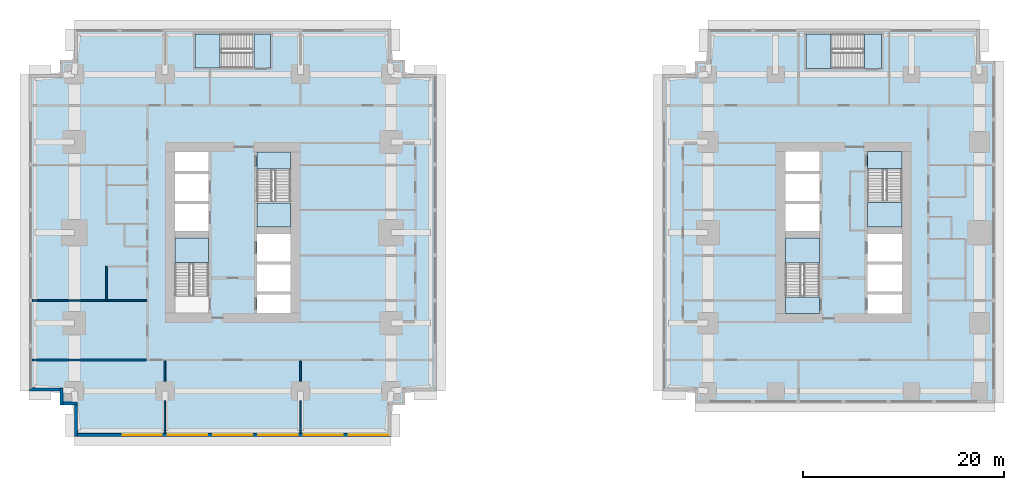
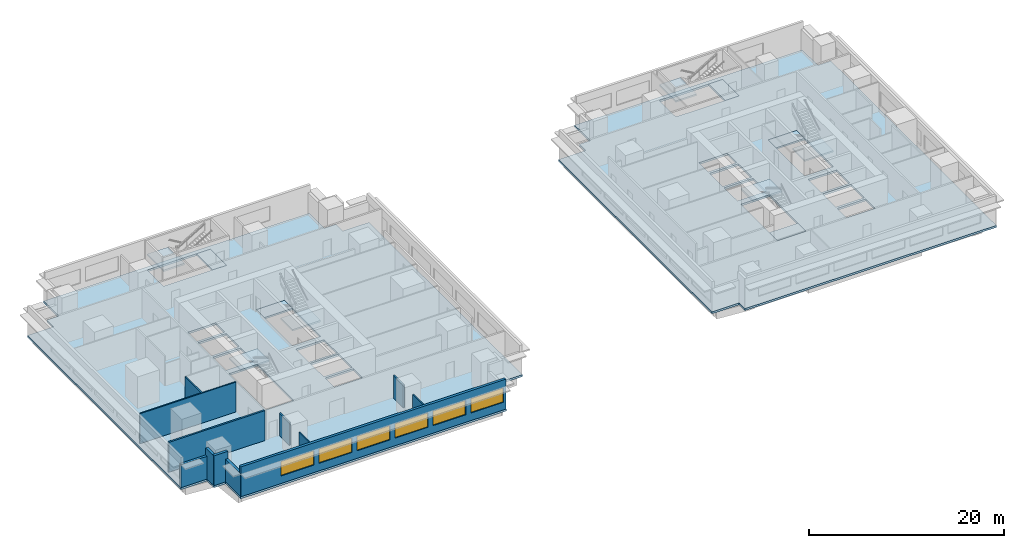
# One storey, part 2 of 11: 13 slabs, 12 walls, 6 windows, 6 openings, 6 elements without a shape of their own.
"""IFC4 building model written with IfcOpenShell, lengths in metres."""

import ifcopenshell
import ifcopenshell.guid

model = None  # the IFC model being written
_history = None  # IfcOwnerHistory: only IFC2X3 demands one
_inside = {}  # id of a spatial element -> (the spatial element, [elements in it])
_under = {}  # id of a project, library or spatial element -> (it, [spatial elements below it])
_declared = {}  # id of a project -> (the project, [libraries it declares])
_typed = {}  # id of a type object -> (the type object, [elements of that type])
_made_of = {}  # id of a material, layer set ... -> (it, [elements and type objects made of it])


def new_model(schema):
    """Start an empty IFC model of exactly this schema.

    Asked for "IFC4X3", IfcOpenShell would pick the latest addendum, in which some entities
    have other attributes; the version numbers below select the first issue.
    IFC2X3 requires an IfcOwnerHistory on every rooted entity: one is made here for all.
    """
    global model, _history
    if schema == "IFC4X3":
        model = ifcopenshell.file(schema_version=(4, 3, 0, 0))
    else:
        model = ifcopenshell.file(schema=schema)
    _inside.clear()
    _under.clear()
    _declared.clear()
    _typed.clear()
    _made_of.clear()
    _history = None
    if model.schema == "IFC2X3":
        org = make("IfcOrganization", Name="unknown")
        user = make(
            "IfcPersonAndOrganization",
            ThePerson=make("IfcPerson", FamilyName="unknown"),
            TheOrganization=org,
        )
        app = make(
            "IfcApplication",
            ApplicationDeveloper=org,
            Version="unknown",
            ApplicationFullName="unknown",
            ApplicationIdentifier="unknown",
        )
        _history = make(
            "IfcOwnerHistory",
            OwningUser=user,
            OwningApplication=app,
            ChangeAction="ADDED",
            CreationDate=0,
        )
    return model


def make(cls, **values):
    """One entity of the class cls with the attributes given. An attribute that is None is left unset."""
    return model.create_entity(
        cls, **{name: value for name, value in values.items() if value is not None}
    )


def rooted(cls, **values):
    """An entity with a GlobalId (a new one), such as an element, a storey or a relation."""
    return make(cls, GlobalId=ifcopenshell.guid.new(), OwnerHistory=_history, **values)


def si_unit(unit_type, name, prefix=None):
    """IfcSIUnit, for example si_unit("LENGTHUNIT", "METRE", prefix="MILLI")."""
    return make("IfcSIUnit", UnitType=unit_type, Prefix=prefix, Name=name)


def assignment(units):
    """IfcUnitAssignment: the units of a project."""
    return None if units is None else make("IfcUnitAssignment", Units=units)


def point(xyz):
    """IfcCartesianPoint."""
    return None if xyz is None else make("IfcCartesianPoint", Coordinates=xyz)


def direction(xyz):
    """IfcDirection."""
    return None if xyz is None else make("IfcDirection", DirectionRatios=xyz)


def frame(location, z_axis=None, x_axis=None):
    """IfcAxis2Placement3D, a coordinate frame: its origin and axes. An axis left out is left unset."""
    return make(
        "IfcAxis2Placement3D",
        Location=point(location),
        Axis=direction(z_axis),
        RefDirection=direction(x_axis),
    )


def frame_2d(location, x_axis=None):
    """IfcAxis2Placement2D, a coordinate frame in the plane: its origin and x axis."""
    return make(
        "IfcAxis2Placement2D", Location=point(location), RefDirection=direction(x_axis)
    )


def origin():
    """The frame at (0, 0, 0) with its axes left unset."""
    return frame((0.0, 0.0, 0.0))


def place(relative_to, where):
    """IfcLocalPlacement: puts the frame where relative to a parent placement (None: the world)."""
    return make(
        "IfcLocalPlacement", PlacementRelTo=relative_to, RelativePlacement=where
    )


def context(
    kind, dimensions, precision=None, world=None, true_north=None, identifier=None
):
    """IfcGeometricRepresentationContext, for example the 3D "Model" context."""
    return make(
        "IfcGeometricRepresentationContext",
        ContextIdentifier=identifier,
        ContextType=kind,
        CoordinateSpaceDimension=dimensions,
        Precision=precision,
        WorldCoordinateSystem=world,
        TrueNorth=true_north,
    )


def subcontext(parent, identifier, kind, view, scale=None):
    """IfcGeometricRepresentationSubContext, for example "Body" below "Model"."""
    return make(
        "IfcGeometricRepresentationSubContext",
        ContextIdentifier=identifier,
        ContextType=kind,
        ParentContext=parent,
        TargetScale=scale,
        TargetView=view,
    )


def project(units=None, contexts=None):
    """IfcProject with its units and contexts."""
    return rooted(
        "IfcProject",
        Name="project",
        RepresentationContexts=contexts,
        UnitsInContext=assignment(units),
    )


def spatial(cls, under=None, at=None, **own):
    """A site, building, storey or space (cls), placed at a placement, below another one or the project."""
    s = rooted(cls, ObjectPlacement=at, **own)
    if under is not None:
        _under.setdefault(under.id(), (under, []))[1].append(s)
    return s


def polyline(points):
    """IfcPolyline through the points."""
    return make("IfcPolyline", Points=[point(p) for p in points])


def profile(cls, at=None, kind="AREA", **sizes):
    """A parametric profile (cls). Its sizes go by their IFC names, for example OverallWidth=200.0."""
    return make(cls, ProfileType=kind, Position=at, **sizes)


def rectangle(**sizes):
    """IfcRectangleProfileDef."""
    return profile("IfcRectangleProfileDef", **sizes)


def outline(outer, holes=None, kind="AREA"):
    """IfcArbitraryClosedProfileDef: a profile drawn as a closed curve; with holes, ...WithVoids."""
    if holes is None:
        return make("IfcArbitraryClosedProfileDef", ProfileType=kind, OuterCurve=outer)
    return make(
        "IfcArbitraryProfileDefWithVoids",
        ProfileType=kind,
        OuterCurve=outer,
        InnerCurves=holes,
    )


def extrude(swept, where, along, depth):
    """IfcExtrudedAreaSolid: the profile swept, set in the frame where, extruded along a direction by depth."""
    return make(
        "IfcExtrudedAreaSolid",
        SweptArea=swept,
        Position=where,
        ExtrudedDirection=direction(along),
        Depth=depth,
    )


def shape(context_of_items, identifier, shape_type, items):
    """IfcShapeRepresentation: the items that make up one representation, for example the "Body"."""
    return make(
        "IfcShapeRepresentation",
        ContextOfItems=context_of_items,
        RepresentationIdentifier=identifier,
        RepresentationType=shape_type,
        Items=items,
    )


def material(Name=None, Category=None):
    """IfcMaterial."""
    return make("IfcMaterial", Name=Name, Category=Category)


def layer(
    of_material, thickness, ventilated=None, Name=None, Category=None, Priority=None
):
    """IfcMaterialLayer: one layer of a wall or slab, of a material (None: an air gap)."""
    return make(
        "IfcMaterialLayer",
        Material=of_material,
        LayerThickness=thickness,
        IsVentilated=ventilated,
        Name=Name,
        Category=Category,
        Priority=Priority,
    )


def layer_set(layers, Name=None):
    """IfcMaterialLayerSet."""
    return make("IfcMaterialLayerSet", MaterialLayers=layers, LayerSetName=Name)


def made_of(thing, what):
    """Note that an element or type object is made of a material, layer set ...; save() writes the relation."""
    if what is not None:
        _made_of.setdefault(what.id(), (what, []))[1].append(thing)
    return thing


def type_object(cls, material=None, **own):
    """A type object (cls), such as IfcWallType, which elements share."""
    return made_of(rooted(cls, **own), material)


def element(
    cls,
    number,
    at=None,
    inside=None,
    cuts=None,
    type_object=None,
    material=None,
    context=None,
    identifier="Body",
    shape_type=None,
    held_by="IfcProductDefinitionShape",
    body=None,
    shapes=None,
    **own,
):
    """One element of the class cls, such as IfcWall. Its Tag is "e" and its number.

    at: its placement. inside: the storey or other place that contains it. cuts: it is an
    opening in that element (IfcRelVoidsElement). A single representation is given by context,
    identifier, shape_type and body (its items); several are given by shapes. held_by: the class
    of the entity that holds the representations. save() writes the other relations.
    """
    e = rooted(cls, Tag="e%d" % number, ObjectPlacement=at, **own)
    if body is not None:
        shapes = [shape(context, identifier, shape_type, body)]
    if shapes is not None:
        e.Representation = make(held_by, Representations=shapes)
    if inside is not None:
        _inside.setdefault(inside.id(), (inside, []))[1].append(e)
    if cuts is not None:
        rooted(
            "IfcRelVoidsElement", RelatingBuildingElement=cuts, RelatedOpeningElement=e
        )
    if type_object is not None:
        _typed.setdefault(type_object.id(), (type_object, []))[1].append(e)
    return made_of(e, material)


def fill(opening, filler):
    """IfcRelFillsElement: the door or window that sits in an opening."""
    return rooted(
        "IfcRelFillsElement",
        RelatingOpeningElement=opening,
        RelatedBuildingElement=filler,
    )


def aggregate(whole, parts):
    """IfcRelAggregates: a whole, such as a stair, and the parts it consists of."""
    return rooted("IfcRelAggregates", RelatingObject=whole, RelatedObjects=parts)


def save(model, path):
    """Write the relations noted so far, then the file.

    IfcRelAggregates (storeys below a building ...), IfcRelContainedInSpatialStructure (elements
    in a storey), IfcRelDefinesByType, IfcRelAssociatesMaterial and IfcRelDeclares: one each for
    every whole, place, type object, material and project.
    """
    for whole, parts in _under.values():
        aggregate(whole, parts)
    for where, things in _inside.values():
        rooted(
            "IfcRelContainedInSpatialStructure",
            RelatedElements=things,
            RelatingStructure=where,
        )
    for kind, things in _typed.values():
        rooted("IfcRelDefinesByType", RelatedObjects=things, RelatingType=kind)
    for what, things in _made_of.values():
        rooted("IfcRelAssociatesMaterial", RelatedObjects=things, RelatingMaterial=what)
    for by, libraries in _declared.values():
        rooted("IfcRelDeclares", RelatingContext=by, RelatedDefinitions=libraries)
    model.write(path)


model = new_model("IFC4")

# Units and contexts
model_context = context("Model", 3, precision=1e-05, world=origin(), true_north=direction((0.0, 1.0)))
body_context = subcontext(model_context, "Body", "Model", "MODEL_VIEW")
ifc_project = project(units=[si_unit("LENGTHUNIT", "METRE"), si_unit("AREAUNIT", "SQUARE_METRE"), si_unit("VOLUMEUNIT", "CUBIC_METRE"), si_unit("PLANEANGLEUNIT", "RADIAN"), si_unit("MASSUNIT", "GRAM", prefix="KILO")], contexts=[model_context])

# Site, building, storey
site_placement = place(None, origin())
site = spatial("IfcSite", under=ifc_project, at=site_placement, CompositionType="ELEMENT")
building_placement = place(site_placement, origin())
building = spatial("IfcBuilding", under=site, at=building_placement, Name="Namib Vertical Campus", CompositionType="ELEMENT")
storey_placement = place(building_placement, frame((0.0, 0.0, 85.0)))
storey = spatial("IfcBuildingStorey", under=building, at=storey_placement, Name="L19", CompositionType="ELEMENT", Elevation=85.0)

# Slabs
ifc_material_1 = material(Name="Concrete C40/50", Category="concrete")
ifc_layer_1 = layer(ifc_material_1, 0.25)
ifc_layer_set_1 = layer_set([ifc_layer_1], Name="Concrete C40/50")
slab_type_1 = type_object("IfcSlabType", Name="Floor slab 250", PredefinedType="FLOOR", material=ifc_layer_set_1)
slab_1_placement = place(storey_placement, frame((0.0, 0.0, -0.25)))
element("IfcSlab", 1, at=slab_1_placement, inside=storey, type_object=slab_type_1, Name="Floor slab A L19", PredefinedType="FLOOR", context=body_context, shape_type="SweptSolid", body=[
    extrude(outline(polyline([(4.5, 0.0), (36.0, 0.0), (36.0, 3.10009765625), (37.39990234375, 3.10009765625), (37.39990234375, 4.5), (40.5, 4.5), (40.5, 36.0), (37.39990234375, 36.0), (37.39990234375, 37.39990234375), (36.0, 37.39990234375), (36.0, 40.5), (4.5, 40.5), (4.5, 37.39990234375), (3.10009765625, 37.39990234375), (3.10009765625, 36.0), (0.0, 36.0), (0.0, 4.5), (3.10009765625, 4.5), (3.10009765625, 3.10009765625), (4.5, 3.10009765625), (4.5, 0.0)]), holes=[polyline([(14.5, 12.25), (17.85009765625, 12.25), (17.85009765625, 19.699951171875), (14.5, 19.699951171875), (14.5, 12.25)]), polyline([(22.64990234375, 20.800048828125), (26.0, 20.800048828125), (26.0, 28.25), (22.64990234375, 28.25), (22.64990234375, 20.800048828125)]), polyline([(22.64990234375, 12.25), (26.0, 12.25), (26.0, 14.10009765625), (22.64990234375, 14.10009765625), (22.64990234375, 12.25)]), polyline([(14.5, 20.39990234375), (17.85009765625, 20.39990234375), (17.85009765625, 23.10009765625), (14.5, 23.10009765625), (14.5, 20.39990234375)]), polyline([(14.5, 23.39990234375), (17.85009765625, 23.39990234375), (17.85009765625, 26.10009765625), (14.5, 26.10009765625), (14.5, 23.39990234375)]), polyline([(14.5, 26.39990234375), (17.85009765625, 26.39990234375), (17.85009765625, 28.25), (14.5, 28.25), (14.5, 26.39990234375)]), polyline([(22.64990234375, 14.39990234375), (26.0, 14.39990234375), (26.0, 17.10009765625), (22.64990234375, 17.10009765625), (22.64990234375, 14.39990234375)]), polyline([(22.64990234375, 17.39990234375), (26.0, 17.39990234375), (26.0, 20.10009765625), (22.64990234375, 20.10009765625), (22.64990234375, 17.39990234375)]), polyline([(16.5, 36.64990234375), (24.0, 36.64990234375), (24.0, 40.0), (16.5, 40.0), (16.5, 36.64990234375)])]), origin(), (0.0, 0.0, 1.0), 0.25),
])
slab_2_placement = place(storey_placement, frame((0.0, 0.0, -0.25)))
element("IfcSlab", 2, at=slab_2_placement, inside=storey, type_object=slab_type_1, Name="Floor slab B L19", PredefinedType="FLOOR", context=body_context, shape_type="SweptSolid", body=[
    extrude(outline(polyline([(63.0, 4.5), (66.199951171875, 4.5), (66.199951171875, 3.300048828125), (96.050048828125, 3.300048828125), (96.050048828125, 37.300048828125), (94.5, 37.300048828125), (94.5, 40.5), (67.5, 40.5), (67.5, 37.300048828125), (66.199951171875, 37.300048828125), (66.199951171875, 36.0), (63.0, 36.0), (63.0, 4.5)]), holes=[polyline([(75.199951171875, 12.199951171875), (78.60009765625, 12.199951171875), (78.60009765625, 19.699951171875), (75.199951171875, 19.699951171875), (75.199951171875, 12.199951171875)]), polyline([(83.39990234375, 20.800048828125), (86.800048828125, 20.800048828125), (86.800048828125, 28.300048828125), (83.39990234375, 28.300048828125), (83.39990234375, 20.800048828125)]), polyline([(83.39990234375, 12.199951171875), (86.800048828125, 12.199951171875), (86.800048828125, 14.10009765625), (83.39990234375, 14.10009765625), (83.39990234375, 12.199951171875)]), polyline([(75.199951171875, 20.39990234375), (78.60009765625, 20.39990234375), (78.60009765625, 23.10009765625), (75.199951171875, 23.10009765625), (75.199951171875, 20.39990234375)]), polyline([(75.199951171875, 23.39990234375), (78.60009765625, 23.39990234375), (78.60009765625, 26.10009765625), (75.199951171875, 26.10009765625), (75.199951171875, 23.39990234375)]), polyline([(75.199951171875, 26.39990234375), (78.60009765625, 26.39990234375), (78.60009765625, 28.300048828125), (75.199951171875, 28.300048828125), (75.199951171875, 26.39990234375)]), polyline([(83.39990234375, 14.39990234375), (86.800048828125, 14.39990234375), (86.800048828125, 17.10009765625), (83.39990234375, 17.10009765625), (83.39990234375, 14.39990234375)]), polyline([(83.39990234375, 17.39990234375), (86.800048828125, 17.39990234375), (86.800048828125, 20.10009765625), (83.39990234375, 20.10009765625), (83.39990234375, 17.39990234375)]), polyline([(77.25, 36.60009765625), (84.75, 36.60009765625), (84.75, 40.0), (77.25, 40.0), (77.25, 36.60009765625)])]), origin(), (0.0, 0.0, 1.0), 0.25),
])

# Stair, slab
ifc_material_2 = material(Name="Concrete C40/50 precast", Category="concrete")
stair_type_1 = type_object("IfcStairType", Name="Exit stair 4000 rise 24 risers 3350 wide", PredefinedType="HALF_TURN_STAIR", material=ifc_material_2)
stair_1_placement = place(storey_placement, origin())
stair_1 = element("IfcStair", 3, at=stair_1_placement, inside=storey, type_object=stair_type_1, Name="Exit stair A-S1 L19", PredefinedType="HALF_TURN_STAIR")
ifc_material_3 = material(Name="Concrete C40/50", Category="concrete")
ifc_layer_2 = layer(ifc_material_3, 0.199951171875)
ifc_layer_set_2 = layer_set([ifc_layer_2], Name="Concrete C40/50")
slab_type_2 = type_object("IfcSlabType", Name="Stair landing 200", PredefinedType="LANDING", material=ifc_layer_set_2)
slab_3_placement = place(storey_placement, frame((0.0, 0.0, 1.800048828125)))
slab_3 = element("IfcSlab", 4, at=slab_3_placement, type_object=slab_type_2, Name="A-S1 landing 2", PredefinedType="LANDING", context=body_context, shape_type="SweptSolid", body=[
    extrude(outline(polyline([(14.5, 17.276123046875), (17.85009765625, 17.276123046875), (17.85009765625, 19.699951171875), (14.5, 19.699951171875), (14.5, 17.276123046875)])), origin(), (0.0, 0.0, 1.0), 0.199951171875),
])
aggregate(stair_1, [slab_3])

# Stair, slabs
stair_2_placement = place(storey_placement, origin())
stair_2 = element("IfcStair", 5, at=stair_2_placement, inside=storey, type_object=stair_type_1, Name="Exit stair A-S2 L19", PredefinedType="HALF_TURN_STAIR")
slab_4_placement = place(storey_placement, frame((0.0, 0.0, -0.199951171875)))
slab_4 = element("IfcSlab", 6, at=slab_4_placement, type_object=slab_type_2, Name="A-S2 landing 1", PredefinedType="LANDING", context=body_context, shape_type="SweptSolid", body=[
    extrude(outline(polyline([(22.64990234375, 26.59619140625), (26.0, 26.59619140625), (26.0, 28.25), (22.64990234375, 28.25), (22.64990234375, 26.59619140625)])), origin(), (0.0, 0.0, 1.0), 0.199951171875),
])
slab_5_placement = place(storey_placement, frame((0.0, 0.0, 1.800048828125)))
slab_5 = element("IfcSlab", 7, at=slab_5_placement, type_object=slab_type_2, Name="A-S2 landing 2", PredefinedType="LANDING", context=body_context, shape_type="SweptSolid", body=[
    extrude(outline(polyline([(22.64990234375, 20.800048828125), (26.0, 20.800048828125), (26.0, 23.223876953125), (22.64990234375, 23.223876953125), (22.64990234375, 20.800048828125)])), origin(), (0.0, 0.0, 1.0), 0.199951171875),
])
aggregate(stair_2, [slab_4, slab_5])

ifc_material_4 = material(Name="Concrete C40/50 precast", Category="concrete")
stair_type_2 = type_object("IfcStairType", Name="Exit stair 4000 rise 24 risers 3400 wide", PredefinedType="HALF_TURN_STAIR", material=ifc_material_4)
stair_3_placement = place(storey_placement, origin())
stair_3 = element("IfcStair", 8, at=stair_3_placement, inside=storey, type_object=stair_type_2, Name="Exit stair B-S1 L19", PredefinedType="HALF_TURN_STAIR")
slab_6_placement = place(storey_placement, frame((0.0, 0.0, -0.199951171875)))
slab_6 = element("IfcSlab", 9, at=slab_6_placement, type_object=slab_type_2, Name="B-S1 landing 1", PredefinedType="LANDING", context=body_context, shape_type="SweptSolid", body=[
    extrude(outline(polyline([(75.199951171875, 12.199951171875), (78.60009765625, 12.199951171875), (78.60009765625, 13.85400390625), (75.199951171875, 13.85400390625), (75.199951171875, 12.199951171875)])), origin(), (0.0, 0.0, 1.0), 0.199951171875),
])
slab_7_placement = place(storey_placement, frame((0.0, 0.0, 1.800048828125)))
slab_7 = element("IfcSlab", 10, at=slab_7_placement, type_object=slab_type_2, Name="B-S1 landing 2", PredefinedType="LANDING", context=body_context, shape_type="SweptSolid", body=[
    extrude(outline(polyline([(75.199951171875, 17.22607421875), (78.60009765625, 17.22607421875), (78.60009765625, 19.699951171875), (75.199951171875, 19.699951171875), (75.199951171875, 17.22607421875)])), origin(), (0.0, 0.0, 1.0), 0.199951171875),
])
aggregate(stair_3, [slab_6, slab_7])

stair_4_placement = place(storey_placement, origin())
stair_4 = element("IfcStair", 11, at=stair_4_placement, inside=storey, type_object=stair_type_2, Name="Exit stair B-S2 L19", PredefinedType="HALF_TURN_STAIR")
slab_8_placement = place(storey_placement, frame((0.0, 0.0, -0.199951171875)))
slab_8 = element("IfcSlab", 12, at=slab_8_placement, type_object=slab_type_2, Name="B-S2 landing 1", PredefinedType="LANDING", context=body_context, shape_type="SweptSolid", body=[
    extrude(outline(polyline([(83.39990234375, 26.64599609375), (86.800048828125, 26.64599609375), (86.800048828125, 28.300048828125), (83.39990234375, 28.300048828125), (83.39990234375, 26.64599609375)])), origin(), (0.0, 0.0, 1.0), 0.199951171875),
])
slab_9_placement = place(storey_placement, frame((0.0, 0.0, 1.800048828125)))
slab_9 = element("IfcSlab", 13, at=slab_9_placement, type_object=slab_type_2, Name="B-S2 landing 2", PredefinedType="LANDING", context=body_context, shape_type="SweptSolid", body=[
    extrude(outline(polyline([(83.39990234375, 20.800048828125), (86.800048828125, 20.800048828125), (86.800048828125, 23.27392578125), (83.39990234375, 23.27392578125), (83.39990234375, 20.800048828125)])), origin(), (0.0, 0.0, 1.0), 0.199951171875),
])
aggregate(stair_4, [slab_8, slab_9])

stair_5_placement = place(storey_placement, origin())
stair_5 = element("IfcStair", 14, at=stair_5_placement, inside=storey, type_object=stair_type_1, Name="Exit stair A-S3 L19", PredefinedType="HALF_TURN_STAIR")
slab_10_placement = place(storey_placement, frame((0.0, 0.0, -0.199951171875)))
slab_10 = element("IfcSlab", 15, at=slab_10_placement, type_object=slab_type_2, Name="A-S3 landing 1", PredefinedType="LANDING", context=body_context, shape_type="SweptSolid", body=[
    extrude(outline(polyline([(22.34619140625, 36.64990234375), (22.34619140625, 40.0), (24.0, 40.0), (24.0, 36.64990234375), (22.34619140625, 36.64990234375)])), origin(), (0.0, 0.0, 1.0), 0.199951171875),
])
slab_11_placement = place(storey_placement, frame((0.0, 0.0, 1.800048828125)))
slab_11 = element("IfcSlab", 16, at=slab_11_placement, type_object=slab_type_2, Name="A-S3 landing 2", PredefinedType="LANDING", context=body_context, shape_type="SweptSolid", body=[
    extrude(outline(polyline([(16.5, 36.64990234375), (16.5, 40.0), (18.973876953125, 40.0), (18.973876953125, 36.64990234375), (16.5, 36.64990234375)])), origin(), (0.0, 0.0, 1.0), 0.199951171875),
])
aggregate(stair_5, [slab_10, slab_11])

stair_6_placement = place(storey_placement, origin())
stair_6 = element("IfcStair", 17, at=stair_6_placement, inside=storey, type_object=stair_type_2, Name="Exit stair B-S3 L19", PredefinedType="HALF_TURN_STAIR")
slab_12_placement = place(storey_placement, frame((0.0, 0.0, -0.199951171875)))
slab_12 = element("IfcSlab", 18, at=slab_12_placement, type_object=slab_type_2, Name="B-S3 landing 1", PredefinedType="LANDING", context=body_context, shape_type="SweptSolid", body=[
    extrude(outline(polyline([(83.09619140625, 36.60009765625), (83.09619140625, 40.0), (84.75, 40.0), (84.75, 36.60009765625), (83.09619140625, 36.60009765625)])), origin(), (0.0, 0.0, 1.0), 0.199951171875),
])
slab_13_placement = place(storey_placement, frame((0.0, 0.0, 1.800048828125)))
slab_13 = element("IfcSlab", 19, at=slab_13_placement, type_object=slab_type_2, Name="B-S3 landing 2", PredefinedType="LANDING", context=body_context, shape_type="SweptSolid", body=[
    extrude(outline(polyline([(77.25, 36.60009765625), (77.25, 40.0), (79.723876953125, 40.0), (79.723876953125, 36.60009765625), (77.25, 36.60009765625)])), origin(), (0.0, 0.0, 1.0), 0.199951171875),
])
aggregate(stair_6, [slab_12, slab_13])

# Wall
ifc_material_5 = material(Name="Concrete masonry", Category="masonry")
ifc_layer_3 = layer(ifc_material_5, 0.199951171875)
ifc_layer_set_3 = layer_set([ifc_layer_3], Name="Corridor wall 200")
wall_type_1 = type_object("IfcWallType", Name="Corridor wall 200", PredefinedType="SOLIDWALL", material=ifc_layer_set_3)
wall_1_placement = place(storey_placement, frame((0.300048828125, 7.60009765625, 0.0), z_axis=(0.0, 0.0, 1.0), x_axis=(1.0, 0.0, 0.0)))
element("IfcWall", 20, at=wall_1_placement, inside=storey, type_object=wall_type_1, Name="Partition A L19 BSW", PredefinedType="SOLIDWALL", context=body_context, shape_type="SweptSolid", body=[
    extrude(rectangle(XDim=11.39990234375, YDim=0.199951171875, at=frame_2d((5.699951171875, 0.0))), origin(), (0.0, 0.0, 1.0), 3.75),
])

# Wall, openings, windows
ifc_material_6 = material(Name="Concrete C40/50", Category="concrete")
ifc_layer_4 = layer(ifc_material_6, 0.300048828125)
ifc_layer_set_4 = layer_set([ifc_layer_4], Name="Concrete C40/50")
wall_type_2 = type_object("IfcWallType", Name="External wall 300 board-marked concrete", PredefinedType="STANDARD", material=ifc_layer_set_4)
wall_2_placement = place(storey_placement, frame((4.52001953125, 0.14990234375, 0.0), z_axis=(0.0, 0.0, 1.0), x_axis=(1.0, 0.0, 0.0)))
wall_2 = element("IfcWall", 21, at=wall_2_placement, inside=storey, type_object=wall_type_2, Name="External wall L19 F01", PredefinedType="STANDARD", context=body_context, shape_type="SweptSolid", body=[
    extrude(rectangle(XDim=31.4599609375, YDim=0.300048828125, at=frame_2d((15.72998046875, 0.0))), origin(), (0.0, 0.0, 1.0), 3.75),
])
opening_1_placement = place(wall_2_placement, frame((4.780029296875, 0.0, 0.949951171875)))
opening_1 = element("IfcOpeningElement", 22, at=opening_1_placement, cuts=wall_2, Name="Opening W3", PredefinedType="OPENING", context=body_context, shape_type="SweptSolid", body=[
    extrude(rectangle(XDim=3.89990234375, YDim=1.800048828125, at=frame_2d((1.949951171875, 0.89990234375))), frame((0.0, 0.159912109375, 0.0), z_axis=(0.0, -1.0, 0.0), x_axis=(1.0, 0.0, 0.0)), (0.0, 0.0, 1.0), 0.320068359375),
])
opening_2_placement = place(wall_2_placement, frame((9.280029296875, 0.0, 0.949951171875)))
opening_2 = element("IfcOpeningElement", 23, at=opening_2_placement, cuts=wall_2, Name="Opening W3", PredefinedType="OPENING", context=body_context, shape_type="SweptSolid", body=[
    extrude(rectangle(XDim=3.89990234375, YDim=1.800048828125, at=frame_2d((1.949951171875, 0.89990234375))), frame((0.0, 0.159912109375, 0.0), z_axis=(0.0, -1.0, 0.0), x_axis=(1.0, 0.0, 0.0)), (0.0, 0.0, 1.0), 0.320068359375),
])
opening_3_placement = place(wall_2_placement, frame((13.780029296875, 0.0, 0.949951171875)))
opening_3 = element("IfcOpeningElement", 24, at=opening_3_placement, cuts=wall_2, Name="Opening W3", PredefinedType="OPENING", context=body_context, shape_type="SweptSolid", body=[
    extrude(rectangle(XDim=3.89990234375, YDim=1.800048828125, at=frame_2d((1.949951171875, 0.89990234375))), frame((0.0, 0.159912109375, 0.0), z_axis=(0.0, -1.0, 0.0), x_axis=(1.0, 0.0, 0.0)), (0.0, 0.0, 1.0), 0.320068359375),
])
opening_4_placement = place(wall_2_placement, frame((18.280029296875, 0.0, 0.949951171875)))
opening_4 = element("IfcOpeningElement", 25, at=opening_4_placement, cuts=wall_2, Name="Opening W3", PredefinedType="OPENING", context=body_context, shape_type="SweptSolid", body=[
    extrude(rectangle(XDim=3.89990234375, YDim=1.800048828125, at=frame_2d((1.949951171875, 0.89990234375))), frame((0.0, 0.159912109375, 0.0), z_axis=(0.0, -1.0, 0.0), x_axis=(1.0, 0.0, 0.0)), (0.0, 0.0, 1.0), 0.320068359375),
])
opening_5_placement = place(wall_2_placement, frame((22.780029296875, 0.0, 0.949951171875)))
opening_5 = element("IfcOpeningElement", 26, at=opening_5_placement, cuts=wall_2, Name="Opening W3", PredefinedType="OPENING", context=body_context, shape_type="SweptSolid", body=[
    extrude(rectangle(XDim=3.89990234375, YDim=1.800048828125, at=frame_2d((1.949951171875, 0.89990234375))), frame((0.0, 0.159912109375, 0.0), z_axis=(0.0, -1.0, 0.0), x_axis=(1.0, 0.0, 0.0)), (0.0, 0.0, 1.0), 0.320068359375),
])
opening_6_placement = place(wall_2_placement, frame((27.280029296875, 0.0, 0.949951171875)))
opening_6 = element("IfcOpeningElement", 27, at=opening_6_placement, cuts=wall_2, Name="Opening W3", PredefinedType="OPENING", context=body_context, shape_type="SweptSolid", body=[
    extrude(rectangle(XDim=3.89990234375, YDim=1.800048828125, at=frame_2d((1.949951171875, 0.89990234375))), frame((0.0, 0.159912109375, 0.0), z_axis=(0.0, -1.0, 0.0), x_axis=(1.0, 0.0, 0.0)), (0.0, 0.0, 1.0), 0.320068359375),
])
ifc_material_7 = material(Name="Dark tinted glass in black aluminium frame", Category="aluminium")
window_type = type_object("IfcWindowType", Name="Ribbon window 3900x1800", PartitioningType="SINGLE_PANEL", PredefinedType="WINDOW", material=ifc_material_7)
window_1_placement = place(opening_1_placement, origin())
window_1 = element("IfcWindow", 28, at=window_1_placement, inside=storey, type_object=window_type, Name="Window W3 L19 F01-2", OverallHeight=1.800048828125, OverallWidth=3.89990234375, PartitioningType="SINGLE_PANEL", PredefinedType="WINDOW", context=body_context, shape_type="SweptSolid", body=[
    extrude(rectangle(XDim=3.89990234375, YDim=1.800048828125, at=frame_2d((1.949951171875, 0.89990234375))), frame((0.0, 0.030029296875, 0.0), z_axis=(0.0, -1.0, 0.0), x_axis=(1.0, 0.0, 0.0)), (0.0, 0.0, 1.0), 0.06005859375),
])
fill(opening_1, window_1)
window_2_placement = place(opening_2_placement, origin())
window_2 = element("IfcWindow", 29, at=window_2_placement, inside=storey, type_object=window_type, Name="Window W3 L19 F01-3", OverallHeight=1.800048828125, OverallWidth=3.89990234375, PartitioningType="SINGLE_PANEL", PredefinedType="WINDOW", context=body_context, shape_type="SweptSolid", body=[
    extrude(rectangle(XDim=3.89990234375, YDim=1.800048828125, at=frame_2d((1.949951171875, 0.89990234375))), frame((0.0, 0.030029296875, 0.0), z_axis=(0.0, -1.0, 0.0), x_axis=(1.0, 0.0, 0.0)), (0.0, 0.0, 1.0), 0.06005859375),
])
fill(opening_2, window_2)
window_3_placement = place(opening_3_placement, origin())
window_3 = element("IfcWindow", 30, at=window_3_placement, inside=storey, type_object=window_type, Name="Window W3 L19 F01-4", OverallHeight=1.800048828125, OverallWidth=3.89990234375, PartitioningType="SINGLE_PANEL", PredefinedType="WINDOW", context=body_context, shape_type="SweptSolid", body=[
    extrude(rectangle(XDim=3.89990234375, YDim=1.800048828125, at=frame_2d((1.949951171875, 0.89990234375))), frame((0.0, 0.030029296875, 0.0), z_axis=(0.0, -1.0, 0.0), x_axis=(1.0, 0.0, 0.0)), (0.0, 0.0, 1.0), 0.06005859375),
])
fill(opening_3, window_3)
window_4_placement = place(opening_4_placement, origin())
window_4 = element("IfcWindow", 31, at=window_4_placement, inside=storey, type_object=window_type, Name="Window W3 L19 F01-5", OverallHeight=1.800048828125, OverallWidth=3.89990234375, PartitioningType="SINGLE_PANEL", PredefinedType="WINDOW", context=body_context, shape_type="SweptSolid", body=[
    extrude(rectangle(XDim=3.89990234375, YDim=1.800048828125, at=frame_2d((1.949951171875, 0.89990234375))), frame((0.0, 0.030029296875, 0.0), z_axis=(0.0, -1.0, 0.0), x_axis=(1.0, 0.0, 0.0)), (0.0, 0.0, 1.0), 0.06005859375),
])
fill(opening_4, window_4)
window_5_placement = place(opening_5_placement, origin())
window_5 = element("IfcWindow", 32, at=window_5_placement, inside=storey, type_object=window_type, Name="Window W3 L19 F01-6", OverallHeight=1.800048828125, OverallWidth=3.89990234375, PartitioningType="SINGLE_PANEL", PredefinedType="WINDOW", context=body_context, shape_type="SweptSolid", body=[
    extrude(rectangle(XDim=3.89990234375, YDim=1.800048828125, at=frame_2d((1.949951171875, 0.89990234375))), frame((0.0, 0.030029296875, 0.0), z_axis=(0.0, -1.0, 0.0), x_axis=(1.0, 0.0, 0.0)), (0.0, 0.0, 1.0), 0.06005859375),
])
fill(opening_5, window_5)
window_6_placement = place(opening_6_placement, origin())
window_6 = element("IfcWindow", 33, at=window_6_placement, inside=storey, type_object=window_type, Name="Window W3 L19 F01-7", OverallHeight=1.800048828125, OverallWidth=3.89990234375, PartitioningType="SINGLE_PANEL", PredefinedType="WINDOW", context=body_context, shape_type="SweptSolid", body=[
    extrude(rectangle(XDim=3.89990234375, YDim=1.800048828125, at=frame_2d((1.949951171875, 0.89990234375))), frame((0.0, 0.030029296875, 0.0), z_axis=(0.0, -1.0, 0.0), x_axis=(1.0, 0.0, 0.0)), (0.0, 0.0, 1.0), 0.06005859375),
])
fill(opening_6, window_6)

# Walls
wall_3_placement = place(storey_placement, frame((0.02001953125, 4.64990234375, 0.0), z_axis=(0.0, 0.0, 1.0), x_axis=(1.0, 0.0, 0.0)))
element("IfcWall", 34, at=wall_3_placement, inside=storey, type_object=wall_type_2, Name="External wall L19 F17", PredefinedType="STANDARD", context=body_context, shape_type="SweptSolid", body=[
    extrude(rectangle(XDim=3.35986328125, YDim=0.300048828125, at=frame_2d((1.679931640625, 0.0))), origin(), (0.0, 0.0, 1.0), 2.85009765625),
])
for number, where, z_axis, x_axis, name in (
    (35, (3.25, 4.780029296875, 0.0), (0.0, 0.0, 1.0), (0.0, -1.0, 0.0), "External wall L19 F18"),
    (36, (3.1201171875, 3.25, 0.0), (0.0, 0.0, 1.0), (1.0, 0.0, 0.0), "External wall L19 F19"),
):
    element("IfcWall", number, at=place(storey_placement, frame(where, z_axis=z_axis, x_axis=x_axis)), inside=storey, type_object=wall_type_2, Name=name, PredefinedType="STANDARD", context=body_context, shape_type="SweptSolid", body=[
        extrude(rectangle(XDim=1.659912109375, YDim=0.300048828125, at=frame_2d((0.830078125, 0.0))), origin(), (0.0, 0.0, 1.0), 3.75),
    ])
wall_4_placement = place(storey_placement, frame((4.64990234375, 3.3798828125, 0.0), z_axis=(0.0, 0.0, 1.0), x_axis=(0.0, -1.0, 0.0)))
element("IfcWall", 37, at=wall_4_placement, inside=storey, type_object=wall_type_2, Name="External wall L19 F20", PredefinedType="STANDARD", context=body_context, shape_type="SweptSolid", body=[
    extrude(rectangle(XDim=3.35986328125, YDim=0.300048828125, at=frame_2d((1.679931640625, 0.0))), origin(), (0.0, 0.0, 1.0), 2.85009765625),
])
ifc_material_8 = material(Name="Gypsum board on steel studs", Category="steel")
ifc_layer_5 = layer(ifc_material_8, 0.14990234375)
ifc_layer_set_5 = layer_set([ifc_layer_5], Name="Gypsum board on steel studs")
wall_type_3 = type_object("IfcWallType", Name="Partition 150", PredefinedType="PARTITIONING", material=ifc_layer_set_5)
wall_5_placement = place(storey_placement, frame((13.5, 0.300048828125, 0.0), z_axis=(0.0, 0.0, 1.0), x_axis=(0.0, 1.0, 0.0)))
element("IfcWall", 38, at=wall_5_placement, inside=storey, type_object=wall_type_3, Name="Partition A L19 PS1", PredefinedType="PARTITIONING", context=body_context, shape_type="SweptSolid", body=[
    extrude(rectangle(XDim=3.22998046875, YDim=0.14990234375, at=frame_2d((1.614990234375, 0.0))), origin(), (0.0, 0.0, 1.0), 2.85009765625),
])
wall_6_placement = place(storey_placement, frame((13.5, 5.469970703125, 0.0), z_axis=(0.0, 0.0, 1.0), x_axis=(0.0, 1.0, 0.0)))
element("IfcWall", 39, at=wall_6_placement, inside=storey, type_object=wall_type_3, Name="Partition A L19 PS1", PredefinedType="PARTITIONING", context=body_context, shape_type="SweptSolid", body=[
    extrude(rectangle(XDim=2.030029296875, YDim=0.14990234375, at=frame_2d((1.01513671875, 0.0))), origin(), (0.0, 0.0, 1.0), 2.85009765625),
])
wall_7_placement = place(storey_placement, frame((27.0, 0.300048828125, 0.0), z_axis=(0.0, 0.0, 1.0), x_axis=(0.0, 1.0, 0.0)))
element("IfcWall", 40, at=wall_7_placement, inside=storey, type_object=wall_type_3, Name="Partition A L19 PS2", PredefinedType="PARTITIONING", context=body_context, shape_type="SweptSolid", body=[
    extrude(rectangle(XDim=3.22998046875, YDim=0.14990234375, at=frame_2d((1.614990234375, 0.0))), origin(), (0.0, 0.0, 1.0), 2.85009765625),
])
wall_8_placement = place(storey_placement, frame((27.0, 5.469970703125, 0.0), z_axis=(0.0, 0.0, 1.0), x_axis=(0.0, 1.0, 0.0)))
element("IfcWall", 41, at=wall_8_placement, inside=storey, type_object=wall_type_3, Name="Partition A L19 PS2", PredefinedType="PARTITIONING", context=body_context, shape_type="SweptSolid", body=[
    extrude(rectangle(XDim=2.030029296875, YDim=0.14990234375, at=frame_2d((1.01513671875, 0.0))), origin(), (0.0, 0.0, 1.0), 2.85009765625),
])
wall_9_placement = place(storey_placement, frame((0.300048828125, 13.5, 0.0), z_axis=(0.0, 0.0, 1.0), x_axis=(1.0, 0.0, 0.0)))
element("IfcWall", 42, at=wall_9_placement, inside=storey, type_object=wall_type_3, Name="Partition A L19 PW1", PredefinedType="PARTITIONING", context=body_context, shape_type="SweptSolid", body=[
    extrude(rectangle(XDim=11.39990234375, YDim=0.14990234375, at=frame_2d((5.699951171875, 0.0))), origin(), (0.0, 0.0, 1.0), 3.75),
])
wall_10_placement = place(storey_placement, frame((7.699951171875, 13.5, 0.0), z_axis=(0.0, 0.0, 1.0), x_axis=(0.0, 1.0, 0.0)))
element("IfcWall", 43, at=wall_10_placement, inside=storey, type_object=wall_type_3, Name="Partition A L19 WB1", PredefinedType="PARTITIONING", context=body_context, shape_type="SweptSolid", body=[
    extrude(rectangle(XDim=3.39990234375, YDim=0.14990234375, at=frame_2d((1.699951171875, 0.0))), origin(), (0.0, 0.0, 1.0), 3.75),
])

save(model, "model.ifc")
